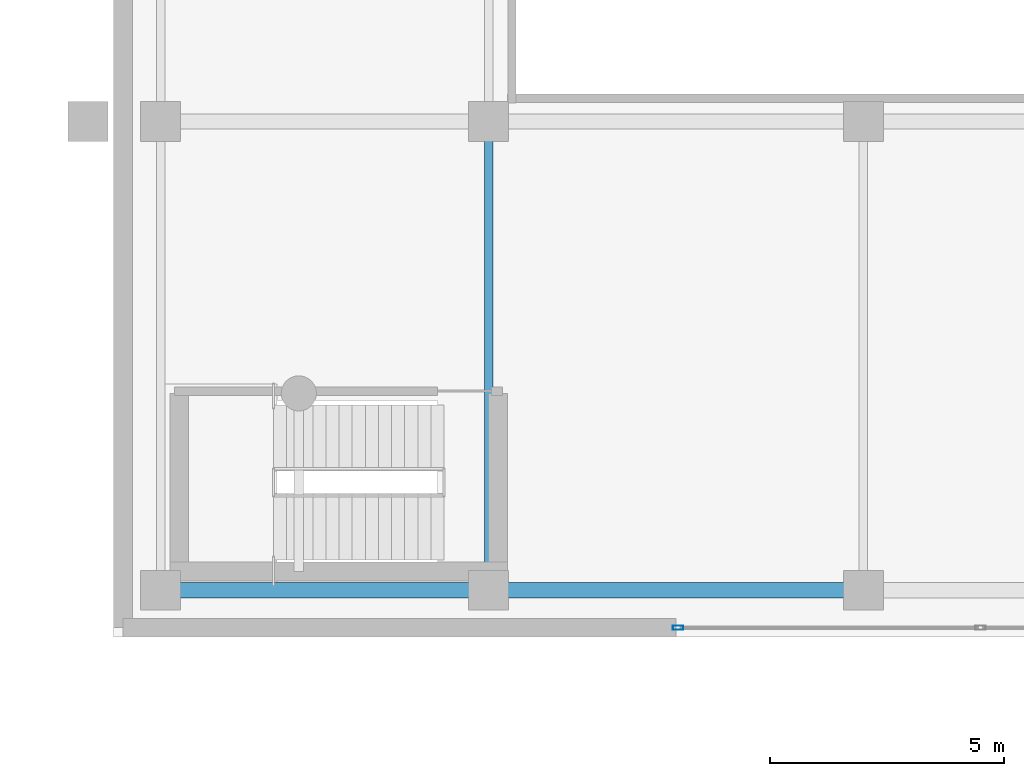
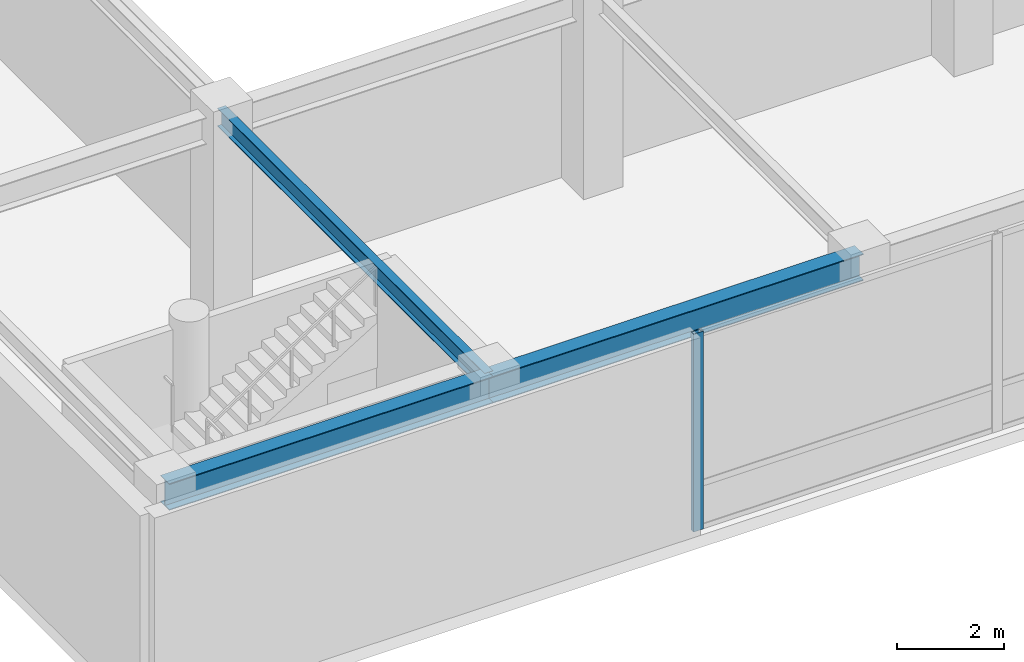
# One storey, part 12 of 40: 3 beams, 1 member, 1 element without a shape of its own.
"""IFC4 building model written with IfcOpenShell, lengths in metres."""

from ifc_helpers import new_model, si_unit, direction, frame, origin, origin_2d, place, context, subcontext, project, spatial, hollow_rectangle, i_section, extrude, material, layer, layer_set, material_profile, profile_set, type_object, element, aggregate, save


model = new_model("IFC4")

# Units and contexts
model_context = context("Model", 3, precision=1e-05, world=origin(), true_north=direction((0.0, 1.0)))
body_context = subcontext(model_context, "Body", "Model", "MODEL_VIEW")
ifc_project = project(units=[si_unit("LENGTHUNIT", "METRE"), si_unit("AREAUNIT", "SQUARE_METRE"), si_unit("VOLUMEUNIT", "CUBIC_METRE"), si_unit("PLANEANGLEUNIT", "RADIAN"), si_unit("MASSUNIT", "GRAM", prefix="KILO")], contexts=[model_context])

# Site, building, storey
site_placement = place(None, origin())
site = spatial("IfcSite", under=ifc_project, at=site_placement, CompositionType="ELEMENT")
building_placement = place(site_placement, origin())
building = spatial("IfcBuilding", under=site, at=building_placement, Name="Kazevale Care Tower and Concert Hall", CompositionType="ELEMENT")
storey_placement = place(building_placement, frame((0.0, 0.0, 9.60009765625)))
storey = spatial("IfcBuildingStorey", under=building, at=storey_placement, Name="L02", CompositionType="ELEMENT", Elevation=9.60009765625)

# Curtain wall, member
ifc_material_1 = material(Name="Aluminium 6063-T6 and Low-E Glass", Category="aluminium")
ifc_layer = layer(ifc_material_1, 0.179931640625)
ifc_layer_set = layer_set([ifc_layer], Name="Aluminium 6063-T6 and Low-E Glass")
curtain_wall_type = type_object("IfcCurtainWallType", Name="Concert Hall Foyer Storefront Curtain Wall CW-6", PredefinedType="NOTDEFINED", material=ifc_layer_set)
curtain_wall_placement = place(storey_placement, origin())
curtain_wall = element("IfcCurtainWall", 1, at=curtain_wall_placement, inside=storey, type_object=curtain_wall_type, Name="cw:L02:hall:S2", PredefinedType="NOTDEFINED")
ifc_material_2 = material(Name="Aluminium 6063-T6", Category="aluminium")
ifc_material_profile_1 = material_profile(ifc_material_2, hollow_rectangle(XDim=0.090087890625, YDim=0.219970703125, WallThickness=0.0048828125, at=origin_2d()), Name="ALU90x220x5")
ifc_profile_set_1 = profile_set([ifc_material_profile_1], Name="Aluminium 6063-T6")
member_type = type_object("IfcMemberType", Name="CW-6 Mullion ALU90x220x5", PredefinedType="MULLION", material=ifc_profile_set_1)
member_placement = place(storey_placement, frame((108.044921875, 14.199951171875, 0.0), z_axis=(0.0, 0.0, 1.0), x_axis=(0.0, 1.0, 0.0)))
member = element("IfcMember", 2, at=member_placement, type_object=member_type, Name="CW-6 mullion 1", PredefinedType="MULLION", context=body_context, shape_type="SweptSolid", body=[
    extrude(hollow_rectangle(XDim=0.090087890625, YDim=0.219970703125, WallThickness=0.0048828125, at=origin_2d()), origin(), (0.0, 0.0, 1.0), 4.52001953125),
])
aggregate(curtain_wall, [member])

# Beams
ifc_material_3 = material(Name="Steel ASTM A572 Gr 50", Category="steel")
ifc_material_profile_2 = material_profile(ifc_material_3, i_section(OverallWidth=0.323974609375, OverallDepth=0.611083984375, WebThickness=0.0126953125, FlangeThickness=0.01904296875, at=origin_2d()), Name="W610x155")
ifc_profile_set_2 = profile_set([ifc_material_profile_2], Name="Steel ASTM A572 Gr 50")
beam_type_1 = type_object("IfcBeamType", Name="Concert Hall Frame Girder W610x155", PredefinedType="BEAM", material=ifc_profile_set_2)
beam_1_placement = place(storey_placement, frame((97.0, 15.0, 4.21435546875), z_axis=(1.0, 0.0, 0.0), x_axis=(0.0, 1.0, 0.0)))
element("IfcBeam", 3, at=beam_1_placement, inside=storey, type_object=beam_type_1, Name="beam:L02:hx:97_15", PredefinedType="BEAM", context=body_context, shape_type="SweptSolid", body=[
    extrude(i_section(OverallWidth=0.323974609375, OverallDepth=0.611083984375, WebThickness=0.0126953125, FlangeThickness=0.01904296875, at=origin_2d()), origin(), (0.0, 0.0, 1.0), 7.0),
])
beam_2_placement = place(storey_placement, frame((104.0, 15.0, 4.21435546875), z_axis=(1.0, 0.0, 0.0), x_axis=(0.0, 1.0, 0.0)))
element("IfcBeam", 4, at=beam_2_placement, inside=storey, type_object=beam_type_1, Name="beam:L02:hx:104_15", PredefinedType="BEAM", context=body_context, shape_type="SweptSolid", body=[
    extrude(i_section(OverallWidth=0.323974609375, OverallDepth=0.611083984375, WebThickness=0.0126953125, FlangeThickness=0.01904296875, at=origin_2d()), origin(), (0.0, 0.0, 1.0), 8.0),
])
ifc_material_profile_3 = material_profile(ifc_material_3, i_section(OverallWidth=0.180908203125, OverallDepth=0.4169921875, WebThickness=0.010986328125, FlangeThickness=0.018310546875, at=origin_2d()), Name="W410x85")
ifc_profile_set_3 = profile_set([ifc_material_profile_3], Name="Steel ASTM A572 Gr 50")
beam_type_2 = type_object("IfcBeamType", Name="Concert Hall Secondary Beam W410x85", PredefinedType="BEAM", material=ifc_profile_set_3)
beam_3_placement = place(storey_placement, frame((104.0, 15.0, 4.3115234375), z_axis=(0.0, 1.0, 0.0), x_axis=(-1.0, 0.0, 0.0)))
element("IfcBeam", 5, at=beam_3_placement, inside=storey, type_object=beam_type_2, Name="beam:L02:hy:104_15", PredefinedType="BEAM", context=body_context, shape_type="SweptSolid", body=[
    extrude(i_section(OverallWidth=0.180908203125, OverallDepth=0.4169921875, WebThickness=0.010986328125, FlangeThickness=0.018310546875, at=origin_2d()), origin(), (0.0, 0.0, 1.0), 10.0),
])

save(model, "model.ifc")
